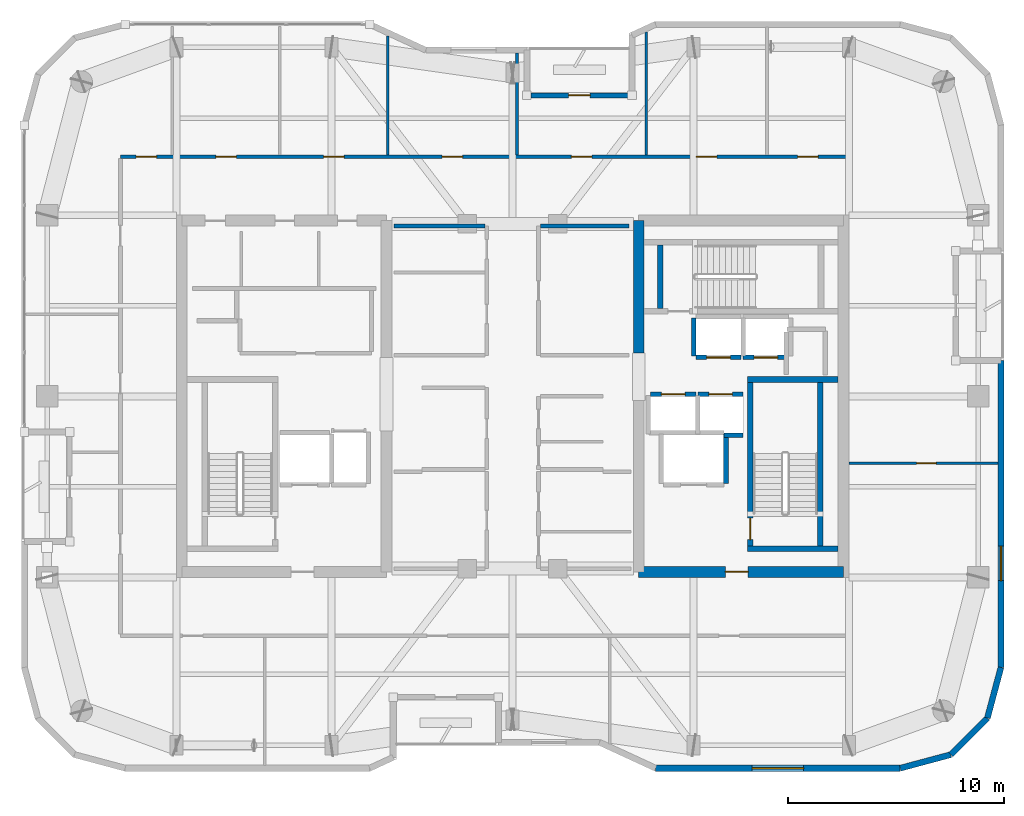
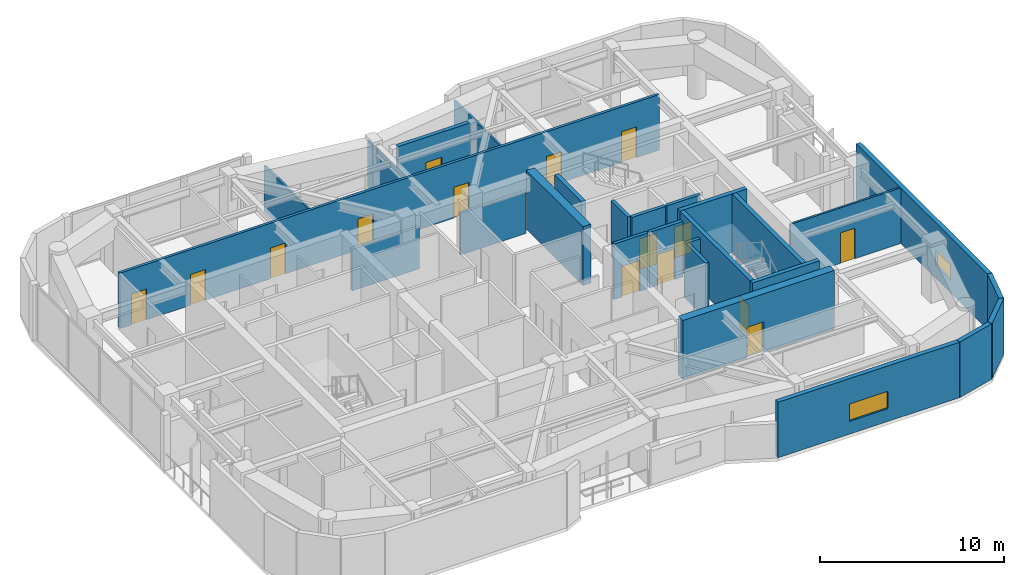
# One storey, part 12 of 15: 27 walls, 15 doors, 2 windows, 17 openings.
"""IFC4 building model written with IfcOpenShell, lengths in metres."""

from ifc_helpers import new_model, si_unit, direction, frame, frame_2d, origin, place, context, subcontext, project, spatial, rectangle, extrude, material, layer, layer_set, type_object, element, fill, save


model = new_model("IFC4")

# Units and contexts
model_context = context("Model", 3, precision=1e-05, world=origin(), true_north=direction((0.0, 1.0)))
body_context = subcontext(model_context, "Body", "Model", "MODEL_VIEW")
ifc_project = project(units=[si_unit("LENGTHUNIT", "METRE"), si_unit("AREAUNIT", "SQUARE_METRE"), si_unit("VOLUMEUNIT", "CUBIC_METRE"), si_unit("PLANEANGLEUNIT", "RADIAN"), si_unit("MASSUNIT", "GRAM", prefix="KILO")], contexts=[model_context])

# Site, building, storey
site_placement = place(None, origin())
site = spatial("IfcSite", under=ifc_project, at=site_placement, CompositionType="ELEMENT")
building_placement = place(site_placement, origin())
building = spatial("IfcBuilding", under=site, at=building_placement, Name="Kiyonajd Concourse Tower", CompositionType="ELEMENT")
storey_placement = place(building_placement, frame((0.0, 0.0, 262.800048828125)))
storey = spatial("IfcBuildingStorey", under=building, at=storey_placement, Name="L66", CompositionType="ELEMENT", Elevation=262.800048828125)

# Wall
ifc_material_1 = material(Name="Concrete C60/75", Category="concrete")
ifc_layer_1 = layer(ifc_material_1, 0.5)
ifc_layer_set_1 = layer_set([ifc_layer_1], Name="Concrete C60/75")
wall_type_1 = type_object("IfcWallType", Name="WL-CORE-500", PredefinedType="SHEAR", material=ifc_layer_set_1)
wall_1_placement = place(storey_placement, frame((53.85009765625, 38.0, 0.0), z_axis=(0.0, 0.0, 1.0), x_axis=(0.0, 1.0, 0.0)))
element("IfcWall", 1, at=wall_1_placement, inside=storey, type_object=wall_type_1, Name="L66 East Core Inner North Shear Wall", PredefinedType="SHEAR", context=body_context, shape_type="SweptSolid", body=[
    extrude(rectangle(XDim=6.14990234375, YDim=0.5, at=frame_2d((3.074951171875, 0.0))), origin(), (0.0, 0.0, 1.0), 3.89990234375),
])

# Wall, opening, door
wall_2_placement = place(storey_placement, frame((53.85009765625, 27.85009765625, 0.0), z_axis=(0.0, 0.0, 1.0), x_axis=(1.0, 0.0, 0.0)))
wall_2 = element("IfcWall", 2, at=wall_2_placement, inside=storey, type_object=wall_type_1, Name="L66 East Core South Shear Wall", PredefinedType="SHEAR", context=body_context, shape_type="SweptSolid", body=[
    extrude(rectangle(XDim=9.5, YDim=0.5, at=frame_2d((4.75, 0.0))), origin(), (0.0, 0.0, 1.0), 3.89990234375),
])
opening_1_placement = place(wall_2_placement, frame((4.02490234375, 0.0, 0.0)))
opening_1 = element("IfcOpeningElement", 3, at=opening_1_placement, cuts=wall_2, Name="Opening DF5", PredefinedType="OPENING", context=body_context, shape_type="SweptSolid", body=[
    extrude(rectangle(XDim=1.050048828125, YDim=2.0400390625, at=frame_2d((0.52490234375, 1.02001953125))), frame((0.0, 0.260009765625, 0.0), z_axis=(0.0, -1.0, 0.0), x_axis=(1.0, 0.0, 0.0)), (0.0, 0.0, 1.0), 0.52001953125),
])
ifc_material_2 = material(Name="Brushed Stainless Steel Cab Assembly", Category="steel")
door_type_1 = type_object("IfcDoorType", Name="DR-FD45-1050", OperationType="NOTDEFINED", PredefinedType="DOOR", material=ifc_material_2)
door_1_placement = place(opening_1_placement, origin())
door_1 = element("IfcDoor", 4, at=door_1_placement, inside=storey, type_object=door_type_1, Name="L66 Firefighting Lift Lobby E Smoke Door", OperationType="SINGLE_SWING_RIGHT", OverallHeight=2.0400390625, OverallWidth=1.050048828125, PredefinedType="DOOR", context=body_context, shape_type="SweptSolid", body=[
    extrude(rectangle(XDim=1.050048828125, YDim=2.0400390625, at=frame_2d((0.52490234375, 1.02001953125))), frame((0.0, 0.02490234375, 0.0), z_axis=(0.0, -1.0, 0.0), x_axis=(1.0, 0.0, 0.0)), (0.0, 0.0, 1.0), 0.050048828125),
])
fill(opening_1, door_1)

# Wall, opening, window
ifc_material_3 = material(Name="Precast concrete C50/60", Category="concrete")
ifc_layer_2 = layer(ifc_material_3, 0.280029296875)
ifc_layer_set_2 = layer_set([ifc_layer_2], Name="Precast concrete C50/60")
wall_type_2 = type_object("IfcWallType", Name="WL-EXT-280", PredefinedType="SOLIDWALL", material=ifc_layer_set_2)
wall_3_placement = place(storey_placement, frame((70.659912109375, 37.659912109375, 0.0), z_axis=(0.0, 0.0, 1.0), x_axis=(0.0, -1.0, 0.0)))
wall_3 = element("IfcWall", 5, at=wall_3_placement, inside=storey, type_object=wall_type_2, Name="L66 Exterior Concrete Frame Wall 24", PredefinedType="SOLIDWALL", context=body_context, shape_type="SweptSolid", body=[
    extrude(rectangle(XDim=14.241455078125, YDim=0.280029296875, at=frame_2d((7.12060546875, 0.0))), origin(), (0.0, 0.0, 1.0), 3.679931640625),
])
opening_2_placement = place(wall_3_placement, frame((8.611083984375, 0.0, 0.85009765625)))
opening_2 = element("IfcOpeningElement", 6, at=opening_2_placement, cuts=wall_3, Name="Opening WN6", PredefinedType="OPENING", context=body_context, shape_type="SweptSolid", body=[
    extrude(rectangle(XDim=1.60009765625, YDim=1.0, at=frame_2d((0.800048828125, 0.5))), frame((0.0, 0.14990234375, 0.0), z_axis=(0.0, -1.0, 0.0), x_axis=(1.0, 0.0, 0.0)), (0.0, 0.0, 1.0), 0.300048828125),
])
ifc_material_4 = material(Name="Double Low-E Insulated Glass", Category="glass")
window_type_1 = type_object("IfcWindowType", Name="WN-VIS-1600x1000", PartitioningType="SINGLE_PANEL", PredefinedType="WINDOW", material=ifc_material_4)
window_1_placement = place(opening_2_placement, origin())
window_1 = element("IfcWindow", 7, at=window_1_placement, inside=storey, type_object=window_type_1, Name="L66 Modular Facade Vision Window 24", OverallHeight=1.0, OverallWidth=1.60009765625, PartitioningType="SINGLE_PANEL", PredefinedType="WINDOW", context=body_context, shape_type="SweptSolid", body=[
    extrude(rectangle(XDim=1.60009765625, YDim=1.0, at=frame_2d((0.800048828125, 0.5))), frame((0.0, 0.030029296875, 0.0), z_axis=(0.0, -1.0, 0.0), x_axis=(1.0, 0.0, 0.0)), (0.0, 0.0, 1.0), 0.06005859375),
])
fill(opening_2, window_1)

# Walls
wall_4_placement = place(storey_placement, frame((70.659912109375, 23.41845703125, 0.0), z_axis=(0.0, 0.0, 1.0), x_axis=(-0.258751159445, -0.965944013639, 0.0)))
element("IfcWall", 8, at=wall_4_placement, inside=storey, type_object=wall_type_2, Name="L66 Exterior Concrete Frame Wall 25", PredefinedType="SOLIDWALL", context=body_context, shape_type="SweptSolid", body=[
    extrude(rectangle(XDim=2.4287109375, YDim=0.280029296875, at=frame_2d((1.21435546875, 0.0))), origin(), (0.0, 0.0, 1.0), 3.679931640625),
])
wall_5_placement = place(storey_placement, frame((70.031494140625, 21.072509765625, 0.0), z_axis=(0.0, 0.0, 1.0), x_axis=(-0.707106781187, -0.707106781187, 0.0)))
element("IfcWall", 9, at=wall_5_placement, inside=storey, type_object=wall_type_2, Name="L66 Exterior Concrete Frame Wall 26", PredefinedType="SOLIDWALL", context=body_context, shape_type="SweptSolid", body=[
    extrude(rectangle(XDim=2.409912109375, YDim=0.280029296875, at=frame_2d((1.205078125, 0.0))), origin(), (0.0, 0.0, 1.0), 3.679931640625),
])
wall_6_placement = place(storey_placement, frame((68.327392578125, 19.368408203125, 0.0), z_axis=(0.0, 0.0, 1.0), x_axis=(-0.965937282298, -0.25877628691, 0.0)))
element("IfcWall", 10, at=wall_6_placement, inside=storey, type_object=wall_type_2, Name="L66 Exterior Concrete Frame Wall 27", PredefinedType="SOLIDWALL", context=body_context, shape_type="SweptSolid", body=[
    extrude(rectangle(XDim=2.428466796875, YDim=0.280029296875, at=frame_2d((1.21435546875, 0.0))), origin(), (0.0, 0.0, 1.0), 3.679931640625),
])

# Wall, opening, window
wall_7_placement = place(storey_placement, frame((65.981689453125, 18.739990234375, 0.0), z_axis=(0.0, 0.0, 1.0), x_axis=(-1.0, 0.0, 0.0)))
wall_7 = element("IfcWall", 11, at=wall_7_placement, inside=storey, type_object=wall_type_2, Name="L66 Exterior Concrete Frame Wall 28", PredefinedType="SOLIDWALL", context=body_context, shape_type="SweptSolid", body=[
    extrude(rectangle(XDim=11.35107421875, YDim=0.280029296875, at=frame_2d((5.675537109375, 0.0))), origin(), (0.0, 0.0, 1.0), 3.679931640625),
])
opening_3_placement = place(wall_7_placement, frame((4.47509765625, 0.0, 0.85009765625)))
opening_3 = element("IfcOpeningElement", 12, at=opening_3_placement, cuts=wall_7, Name="Opening WN4", PredefinedType="OPENING", context=body_context, shape_type="SweptSolid", body=[
    extrude(rectangle(XDim=2.39990234375, YDim=1.14990234375, at=frame_2d((1.199951171875, 0.574951171875))), frame((0.0, 0.14990234375, 0.0), z_axis=(0.0, -1.0, 0.0), x_axis=(1.0, 0.0, 0.0)), (0.0, 0.0, 1.0), 0.300048828125),
])
window_type_2 = type_object("IfcWindowType", Name="WN-VIS-2400x1150", PartitioningType="SINGLE_PANEL", PredefinedType="WINDOW", material=ifc_material_4)
window_2_placement = place(opening_3_placement, origin())
window_2 = element("IfcWindow", 13, at=window_2_placement, inside=storey, type_object=window_type_2, Name="L66 Modular Facade Vision Window 28", OverallHeight=1.14990234375, OverallWidth=2.39990234375, PartitioningType="SINGLE_PANEL", PredefinedType="WINDOW", context=body_context, shape_type="SweptSolid", body=[
    extrude(rectangle(XDim=2.39990234375, YDim=1.14990234375, at=frame_2d((1.199951171875, 0.574951171875))), frame((0.0, 0.030029296875, 0.0), z_axis=(0.0, -1.0, 0.0), x_axis=(1.0, 0.0, 0.0)), (0.0, 0.0, 1.0), 0.06005859375),
])
fill(opening_3, window_2)

# Wall, opening, door
ifc_layer_3 = layer(ifc_material_3, 0.239990234375)
ifc_layer_set_3 = layer_set([ifc_layer_3], Name="Precast concrete C50/60")
wall_type_3 = type_object("IfcWallType", Name="WL-LOG-240", PredefinedType="SOLIDWALL", material=ifc_layer_set_3)
wall_8_placement = place(storey_placement, frame((48.85498046875, 49.9599609375, 0.0), z_axis=(0.0, 0.0, 1.0), x_axis=(1.0, 0.0, 0.0)))
wall_8 = element("IfcWall", 14, at=wall_8_placement, inside=storey, type_object=wall_type_3, Name="L66 Recessed Loggia Thermal Wall LOG-N", PredefinedType="SOLIDWALL", context=body_context, shape_type="SweptSolid", body=[
    extrude(rectangle(XDim=4.489990234375, YDim=0.239990234375, at=frame_2d((2.2451171875, 0.0))), origin(), (0.0, 0.0, 1.0), 3.679931640625),
])
opening_4_placement = place(wall_8_placement, frame((1.7451171875, 0.0, 0.0)))
opening_4 = element("IfcOpeningElement", 15, at=opening_4_placement, cuts=wall_8, Name="Opening DL1", PredefinedType="OPENING", context=body_context, shape_type="SweptSolid", body=[
    extrude(rectangle(XDim=1.0, YDim=2.02001953125, at=frame_2d((0.5, 1.010009765625))), frame((0.0, 0.1298828125, 0.0), z_axis=(0.0, -1.0, 0.0), x_axis=(1.0, 0.0, 0.0)), (0.0, 0.0, 1.0), 0.260009765625),
])
ifc_material_5 = material(Name="Thermally Broken Anodised Aluminium", Category="aluminium")
door_type_2 = type_object("IfcDoorType", Name="DR-LOG-1000", OperationType="NOTDEFINED", PredefinedType="DOOR", material=ifc_material_5)
door_2_placement = place(opening_4_placement, origin())
door_2 = element("IfcDoor", 16, at=door_2_placement, inside=storey, type_object=door_type_2, Name="L66 Engawa Loggia Access Door LOG-N", OperationType="SINGLE_SWING_RIGHT", OverallHeight=2.02001953125, OverallWidth=1.0, PredefinedType="DOOR", context=body_context, shape_type="SweptSolid", body=[
    extrude(rectangle(XDim=1.0, YDim=2.02001953125, at=frame_2d((0.5, 1.010009765625))), frame((0.0, 0.02490234375, 0.0), z_axis=(0.0, -1.0, 0.0), x_axis=(1.0, 0.0, 0.0)), (0.0, 0.0, 1.0), 0.050048828125),
])
fill(opening_4, door_2)

# Walls
ifc_material_6 = material(Name="Gypsum Board on Cold-Formed Steel Stud", Category="steel")
ifc_layer_4 = layer(ifc_material_6, 0.125)
ifc_layer_set_4 = layer_set([ifc_layer_4], Name="Gypsum Board on Cold-Formed Steel Stud")
wall_type_4 = type_object("IfcWallType", Name="WL-PART-125", PredefinedType="PARTITIONING", material=ifc_layer_set_4)
wall_9_placement = place(storey_placement, frame((42.199951171875, 47.197021484375, 0.0), z_axis=(0.0, 0.0, 1.0), x_axis=(0.0, 1.0, 0.0)))
element("IfcWall", 17, at=wall_9_placement, inside=storey, type_object=wall_type_4, Name="L66 Interior Partition Wall", PredefinedType="PARTITIONING", context=body_context, shape_type="SweptSolid", body=[
    extrude(rectangle(XDim=5.528076171875, YDim=0.125, at=frame_2d((2.76416015625, 0.0))), origin(), (0.0, 0.0, 1.0), 3.04296875),
])
wall_10_placement = place(storey_placement, frame((48.199951171875, 47.197021484375, 0.0), z_axis=(0.0, 0.0, 1.0), x_axis=(0.0, 1.0, 0.0)))
element("IfcWall", 18, at=wall_10_placement, inside=storey, type_object=wall_type_4, Name="L66 Interior Partition Wall", PredefinedType="PARTITIONING", context=body_context, shape_type="SweptSolid", body=[
    extrude(rectangle(XDim=4.72802734375, YDim=0.125, at=frame_2d((2.364013671875, 0.0))), origin(), (0.0, 0.0, 1.0), 3.053955078125),
])
wall_11_placement = place(storey_placement, frame((54.199951171875, 47.197021484375, 0.0), z_axis=(0.0, 0.0, 1.0), x_axis=(0.0, 1.0, 0.0)))
element("IfcWall", 19, at=wall_11_placement, inside=storey, type_object=wall_type_4, Name="L66 Interior Partition Wall", PredefinedType="PARTITIONING", context=body_context, shape_type="SweptSolid", body=[
    extrude(rectangle(XDim=5.712890625, YDim=0.125, at=frame_2d((2.8564453125, 0.0))), origin(), (0.0, 0.0, 1.0), 3.04296875),
])

# Wall, opening, door
wall_12_placement = place(storey_placement, frame((63.60009765625, 32.889892578125, 0.0), z_axis=(0.0, 0.0, 1.0), x_axis=(1.0, 0.0, 0.0)))
wall_12 = element("IfcWall", 20, at=wall_12_placement, inside=storey, type_object=wall_type_4, Name="L66 Interior Partition Wall", PredefinedType="PARTITIONING", context=body_context, shape_type="SweptSolid", body=[
    extrude(rectangle(XDim=6.9248046875, YDim=0.125, at=frame_2d((3.46240234375, 0.0))), origin(), (0.0, 0.0, 1.0), 3.679931640625),
])
opening_5_placement = place(wall_12_placement, frame((3.14990234375, 0.0, 0.0)))
opening_5 = element("IfcOpeningElement", 21, at=opening_5_placement, cuts=wall_12, Name="Opening DI2", PredefinedType="OPENING", context=body_context, shape_type="SweptSolid", body=[
    extrude(rectangle(XDim=0.89990234375, YDim=2.02001953125, at=frame_2d((0.449951171875, 1.010009765625))), frame((0.0, 0.072509765625, 0.0), z_axis=(0.0, -1.0, 0.0), x_axis=(1.0, 0.0, 0.0)), (0.0, 0.0, 1.0), 0.14501953125),
])
ifc_material_7 = material(Name="Natural Oak Acoustic Timber Veneer", Category="wood")
door_type_3 = type_object("IfcDoorType", Name="DR-INT-900", OperationType="NOTDEFINED", PredefinedType="DOOR", material=ifc_material_7)
door_3_placement = place(opening_5_placement, origin())
door_3 = element("IfcDoor", 22, at=door_3_placement, inside=storey, type_object=door_type_3, Name="L66 Interior Door", OperationType="SINGLE_SWING_RIGHT", OverallHeight=2.02001953125, OverallWidth=0.89990234375, PredefinedType="DOOR", context=body_context, shape_type="SweptSolid", body=[
    extrude(rectangle(XDim=0.89990234375, YDim=2.02001953125, at=frame_2d((0.449951171875, 1.010009765625))), frame((0.0, 0.02490234375, 0.0), z_axis=(0.0, -1.0, 0.0), x_axis=(1.0, 0.0, 0.0)), (0.0, 0.0, 1.0), 0.050048828125),
])
fill(opening_5, door_3)

# Wall
ifc_layer_5 = layer(ifc_material_6, 0.2099609375)
ifc_layer_set_5 = layer_set([ifc_layer_5], Name="Gypsum Board on Cold-Formed Steel Stud")
wall_type_5 = type_object("IfcWallType", Name="WL-SHAFT-210", PredefinedType="PARTITIONING", material=ifc_layer_set_5)
wall_13_placement = place(storey_placement, frame((57.89990234375, 31.9599609375, 0.0), z_axis=(0.0, 0.0, 1.0), x_axis=(0.0, 1.0, 0.0)))
element("IfcWall", 23, at=wall_13_placement, inside=storey, type_object=wall_type_5, Name="L66 Shaft Enclosure Wall", PredefinedType="PARTITIONING", context=body_context, shape_type="SweptSolid", body=[
    extrude(rectangle(XDim=2.280029296875, YDim=0.2099609375, at=frame_2d((1.14013671875, 0.0))), origin(), (0.0, 0.0, 1.0), 3.679931640625),
])

# Wall, opening, door
wall_14_placement = place(storey_placement, frame((54.39990234375, 36.10009765625, 0.0), z_axis=(0.0, 0.0, 1.0), x_axis=(1.0, 0.0, 0.0)))
wall_14 = element("IfcWall", 24, at=wall_14_placement, inside=storey, type_object=wall_type_5, Name="L66 Shaft Enclosure Wall", PredefinedType="PARTITIONING", context=body_context, shape_type="SweptSolid", body=[
    extrude(rectangle(XDim=2.10009765625, YDim=0.2099609375, at=frame_2d((1.050048828125, 0.0))), origin(), (0.0, 0.0, 1.0), 3.679931640625),
])
opening_6_placement = place(wall_14_placement, frame((0.5, 0.0, 0.0)))
opening_6 = element("IfcOpeningElement", 25, at=opening_6_placement, cuts=wall_14, Name="Opening LD1", PredefinedType="OPENING", context=body_context, shape_type="SweptSolid", body=[
    extrude(rectangle(XDim=1.10009765625, YDim=2.0400390625, at=frame_2d((0.550048828125, 1.02001953125))), frame((0.0, 0.114990234375, 0.0), z_axis=(0.0, -1.0, 0.0), x_axis=(1.0, 0.0, 0.0)), (0.0, 0.0, 1.0), 0.22998046875),
])
door_type_4 = type_object("IfcDoorType", Name="DR-LD-1100", OperationType="DOUBLE_DOOR_SLIDING", PredefinedType="DOOR", material=ifc_material_2)
door_4_placement = place(opening_6_placement, origin())
door_4 = element("IfcDoor", 26, at=door_4_placement, inside=storey, type_object=door_type_4, Name="L66 Lift PL-H1 Sliding Landing Door", OperationType="DOUBLE_DOOR_SLIDING", OverallHeight=2.0400390625, OverallWidth=1.10009765625, PredefinedType="DOOR", context=body_context, shape_type="SweptSolid", body=[
    extrude(rectangle(XDim=1.10009765625, YDim=2.0400390625, at=frame_2d((0.550048828125, 1.02001953125))), frame((0.0, 0.02490234375, 0.0), z_axis=(0.0, -1.0, 0.0), x_axis=(1.0, 0.0, 0.0)), (0.0, 0.0, 1.0), 0.050048828125),
])
fill(opening_6, door_4)

wall_15_placement = place(storey_placement, frame((56.60009765625, 36.10009765625, 0.0), z_axis=(0.0, 0.0, 1.0), x_axis=(1.0, 0.0, 0.0)))
wall_15 = element("IfcWall", 27, at=wall_15_placement, inside=storey, type_object=wall_type_5, Name="L66 Shaft Enclosure Wall", PredefinedType="PARTITIONING", context=body_context, shape_type="SweptSolid", body=[
    extrude(rectangle(XDim=2.099853515625, YDim=0.2099609375, at=frame_2d((1.0498046875, 0.0))), origin(), (0.0, 0.0, 1.0), 3.679931640625),
])
opening_7_placement = place(wall_15_placement, frame((0.5, 0.0, 0.0)))
opening_7 = element("IfcOpeningElement", 28, at=opening_7_placement, cuts=wall_15, Name="Opening LD1", PredefinedType="OPENING", context=body_context, shape_type="SweptSolid", body=[
    extrude(rectangle(XDim=1.10009765625, YDim=2.0400390625, at=frame_2d((0.550048828125, 1.02001953125))), frame((0.0, 0.114990234375, 0.0), z_axis=(0.0, -1.0, 0.0), x_axis=(1.0, 0.0, 0.0)), (0.0, 0.0, 1.0), 0.22998046875),
])
door_5_placement = place(opening_7_placement, origin())
door_5 = element("IfcDoor", 29, at=door_5_placement, inside=storey, type_object=door_type_4, Name="L66 Lift PL-H2 Sliding Landing Door", OperationType="DOUBLE_DOOR_SLIDING", OverallHeight=2.0400390625, OverallWidth=1.10009765625, PredefinedType="DOOR", context=body_context, shape_type="SweptSolid", body=[
    extrude(rectangle(XDim=1.10009765625, YDim=2.0400390625, at=frame_2d((0.550048828125, 1.02001953125))), frame((0.0, 0.02490234375, 0.0), z_axis=(0.0, -1.0, 0.0), x_axis=(1.0, 0.0, 0.0)), (0.0, 0.0, 1.0), 0.050048828125),
])
fill(opening_7, door_5)

# Wall
wall_16_placement = place(storey_placement, frame((57.800048828125, 34.199951171875, 0.0), z_axis=(0.0, 0.0, 1.0), x_axis=(1.0, 0.0, 0.0)))
element("IfcWall", 30, at=wall_16_placement, inside=storey, type_object=wall_type_5, Name="L66 Shaft Enclosure Wall", PredefinedType="PARTITIONING", context=body_context, shape_type="SweptSolid", body=[
    extrude(rectangle(XDim=0.89990234375, YDim=0.2099609375, at=frame_2d((0.449951171875, 0.0))), origin(), (0.0, 0.0, 1.0), 3.679931640625),
])

# Wall, opening, door
wall_17_placement = place(storey_placement, frame((56.5, 37.800048828125, 0.0), z_axis=(0.0, 0.0, 1.0), x_axis=(1.0, 0.0, 0.0)))
wall_17 = element("IfcWall", 31, at=wall_17_placement, inside=storey, type_object=wall_type_5, Name="L66 Shaft Enclosure Wall", PredefinedType="PARTITIONING", context=body_context, shape_type="SweptSolid", body=[
    extrude(rectangle(XDim=2.10009765625, YDim=0.2099609375, at=frame_2d((1.050048828125, 0.0))), origin(), (0.0, 0.0, 1.0), 3.679931640625),
])
opening_8_placement = place(wall_17_placement, frame((0.5, 0.0, 0.0)))
opening_8 = element("IfcOpeningElement", 32, at=opening_8_placement, cuts=wall_17, Name="Opening LD1", PredefinedType="OPENING", context=body_context, shape_type="SweptSolid", body=[
    extrude(rectangle(XDim=1.10009765625, YDim=2.0400390625, at=frame_2d((0.550048828125, 1.02001953125))), frame((0.0, 0.114990234375, 0.0), z_axis=(0.0, -1.0, 0.0), x_axis=(1.0, 0.0, 0.0)), (0.0, 0.0, 1.0), 0.22998046875),
])
door_6_placement = place(opening_8_placement, origin())
door_6 = element("IfcDoor", 33, at=door_6_placement, inside=storey, type_object=door_type_4, Name="L66 Lift PL-H3 Sliding Landing Door", OperationType="DOUBLE_DOOR_SLIDING", OverallHeight=2.0400390625, OverallWidth=1.10009765625, PredefinedType="DOOR", context=body_context, shape_type="SweptSolid", body=[
    extrude(rectangle(XDim=1.10009765625, YDim=2.0400390625, at=frame_2d((0.550048828125, 1.02001953125))), frame((0.0, 0.02490234375, 0.0), z_axis=(0.0, -1.0, 0.0), x_axis=(1.0, 0.0, 0.0)), (0.0, 0.0, 1.0), 0.050048828125),
])
fill(opening_8, door_6)

# Wall
wall_18_placement = place(storey_placement, frame((56.39990234375, 37.860107421875, 0.0), z_axis=(0.0, 0.0, 1.0), x_axis=(0.0, 1.0, 0.0)))
element("IfcWall", 34, at=wall_18_placement, inside=storey, type_object=wall_type_5, Name="L66 Shaft Enclosure Wall", PredefinedType="PARTITIONING", context=body_context, shape_type="SweptSolid", body=[
    extrude(rectangle(XDim=1.77978515625, YDim=0.2099609375, at=frame_2d((0.889892578125, 0.0))), origin(), (0.0, 0.0, 1.0), 3.679931640625),
])

# Wall, opening, door
wall_19_placement = place(storey_placement, frame((58.699951171875, 37.800048828125, 0.0), z_axis=(0.0, 0.0, 1.0), x_axis=(1.0, 0.0, 0.0)))
wall_19 = element("IfcWall", 35, at=wall_19_placement, inside=storey, type_object=wall_type_5, Name="L66 Shaft Enclosure Wall", PredefinedType="PARTITIONING", context=body_context, shape_type="SweptSolid", body=[
    extrude(rectangle(XDim=2.10009765625, YDim=0.2099609375, at=frame_2d((1.050048828125, 0.0))), origin(), (0.0, 0.0, 1.0), 3.679931640625),
])
opening_9_placement = place(wall_19_placement, frame((0.5, 0.0, 0.0)))
opening_9 = element("IfcOpeningElement", 36, at=opening_9_placement, cuts=wall_19, Name="Opening LD1", PredefinedType="OPENING", context=body_context, shape_type="SweptSolid", body=[
    extrude(rectangle(XDim=1.10009765625, YDim=2.0400390625, at=frame_2d((0.550048828125, 1.02001953125))), frame((0.0, 0.114990234375, 0.0), z_axis=(0.0, -1.0, 0.0), x_axis=(1.0, 0.0, 0.0)), (0.0, 0.0, 1.0), 0.22998046875),
])
door_7_placement = place(opening_9_placement, origin())
door_7 = element("IfcDoor", 37, at=door_7_placement, inside=storey, type_object=door_type_4, Name="L66 Lift PL-H4 Sliding Landing Door", OperationType="DOUBLE_DOOR_SLIDING", OverallHeight=2.0400390625, OverallWidth=1.10009765625, PredefinedType="DOOR", context=body_context, shape_type="SweptSolid", body=[
    extrude(rectangle(XDim=1.10009765625, YDim=2.0400390625, at=frame_2d((0.550048828125, 1.02001953125))), frame((0.0, 0.02490234375, 0.0), z_axis=(0.0, -1.0, 0.0), x_axis=(1.0, 0.0, 0.0)), (0.0, 0.0, 1.0), 0.050048828125),
])
fill(opening_9, door_7)

# Walls
ifc_layer_6 = layer(ifc_material_6, 0.169921875)
ifc_layer_set_6 = layer_set([ifc_layer_6], Name="Gypsum Board on Cold-Formed Steel Stud")
wall_type_6 = type_object("IfcWallType", Name="WL-SMK-170", PredefinedType="PARTITIONING", material=ifc_layer_set_6)
wall_20_placement = place(storey_placement, frame((42.5, 43.89990234375, 0.0), z_axis=(0.0, 0.0, 1.0), x_axis=(1.0, 0.0, 0.0)))
element("IfcWall", 38, at=wall_20_placement, inside=storey, type_object=wall_type_6, Name="L66 Interior Partition Wall", PredefinedType="PARTITIONING", context=body_context, shape_type="SweptSolid", body=[
    extrude(rectangle(XDim=4.212890625, YDim=0.169921875, at=frame_2d((2.1064453125, 0.0))), origin(), (0.0, 0.0, 1.0), 2.764892578125),
])
wall_21_placement = place(storey_placement, frame((49.287109375, 43.89990234375, 0.0), z_axis=(0.0, 0.0, 1.0), x_axis=(1.0, 0.0, 0.0)))
element("IfcWall", 39, at=wall_21_placement, inside=storey, type_object=wall_type_6, Name="L66 Interior Partition Wall", PredefinedType="PARTITIONING", context=body_context, shape_type="SweptSolid", body=[
    extrude(rectangle(XDim=4.11279296875, YDim=0.169921875, at=frame_2d((2.056396484375, 0.0))), origin(), (0.0, 0.0, 1.0), 2.764892578125),
])

# Wall, openings, doors
wall_22_placement = place(storey_placement, frame((29.800048828125, 47.110107421875, 0.0), z_axis=(0.0, 0.0, 1.0), x_axis=(1.0, 0.0, 0.0)))
wall_22 = element("IfcWall", 40, at=wall_22_placement, inside=storey, type_object=wall_type_6, Name="L66 Interior Partition Wall", PredefinedType="PARTITIONING", context=body_context, shape_type="SweptSolid", body=[
    extrude(rectangle(XDim=33.800048828125, YDim=0.169921875, at=frame_2d((16.89990234375, 0.0))), origin(), (0.0, 0.0, 1.0), 3.679931640625),
])
opening_10_placement = place(wall_22_placement, frame((0.72509765625, 0.0, 0.0)))
opening_10 = element("IfcOpeningElement", 41, at=opening_10_placement, cuts=wall_22, Name="Opening DI1", PredefinedType="OPENING", context=body_context, shape_type="SweptSolid", body=[
    extrude(rectangle(XDim=0.949951171875, YDim=2.0400390625, at=frame_2d((0.47509765625, 1.02001953125))), frame((0.0, 0.094970703125, 0.0), z_axis=(0.0, -1.0, 0.0), x_axis=(1.0, 0.0, 0.0)), (0.0, 0.0, 1.0), 0.18994140625),
])
opening_11_placement = place(wall_22_placement, frame((4.425048828125, 0.0, 0.0)))
opening_11 = element("IfcOpeningElement", 42, at=opening_11_placement, cuts=wall_22, Name="Opening DI1", PredefinedType="OPENING", context=body_context, shape_type="SweptSolid", body=[
    extrude(rectangle(XDim=0.949951171875, YDim=2.0400390625, at=frame_2d((0.47509765625, 1.02001953125))), frame((0.0, 0.094970703125, 0.0), z_axis=(0.0, -1.0, 0.0), x_axis=(1.0, 0.0, 0.0)), (0.0, 0.0, 1.0), 0.18994140625),
])
opening_12_placement = place(wall_22_placement, frame((9.425048828125, 0.0, 0.0)))
opening_12 = element("IfcOpeningElement", 43, at=opening_12_placement, cuts=wall_22, Name="Opening DI1", PredefinedType="OPENING", context=body_context, shape_type="SweptSolid", body=[
    extrude(rectangle(XDim=0.949951171875, YDim=2.0400390625, at=frame_2d((0.47509765625, 1.02001953125))), frame((0.0, 0.094970703125, 0.0), z_axis=(0.0, -1.0, 0.0), x_axis=(1.0, 0.0, 0.0)), (0.0, 0.0, 1.0), 0.18994140625),
])
opening_13_placement = place(wall_22_placement, frame((14.925048828125, 0.0, 0.0)))
opening_13 = element("IfcOpeningElement", 44, at=opening_13_placement, cuts=wall_22, Name="Opening DI1", PredefinedType="OPENING", context=body_context, shape_type="SweptSolid", body=[
    extrude(rectangle(XDim=0.949951171875, YDim=2.0400390625, at=frame_2d((0.47509765625, 1.02001953125))), frame((0.0, 0.094970703125, 0.0), z_axis=(0.0, -1.0, 0.0), x_axis=(1.0, 0.0, 0.0)), (0.0, 0.0, 1.0), 0.18994140625),
])
opening_14_placement = place(wall_22_placement, frame((20.925048828125, 0.0, 0.0)))
opening_14 = element("IfcOpeningElement", 45, at=opening_14_placement, cuts=wall_22, Name="Opening DI1", PredefinedType="OPENING", context=body_context, shape_type="SweptSolid", body=[
    extrude(rectangle(XDim=0.949951171875, YDim=2.0400390625, at=frame_2d((0.47509765625, 1.02001953125))), frame((0.0, 0.094970703125, 0.0), z_axis=(0.0, -1.0, 0.0), x_axis=(1.0, 0.0, 0.0)), (0.0, 0.0, 1.0), 0.18994140625),
])
opening_15_placement = place(wall_22_placement, frame((26.72509765625, 0.0, 0.0)))
opening_15 = element("IfcOpeningElement", 46, at=opening_15_placement, cuts=wall_22, Name="Opening DI1", PredefinedType="OPENING", context=body_context, shape_type="SweptSolid", body=[
    extrude(rectangle(XDim=0.949951171875, YDim=2.0400390625, at=frame_2d((0.47509765625, 1.02001953125))), frame((0.0, 0.094970703125, 0.0), z_axis=(0.0, -1.0, 0.0), x_axis=(1.0, 0.0, 0.0)), (0.0, 0.0, 1.0), 0.18994140625),
])
opening_16_placement = place(wall_22_placement, frame((31.425048828125, 0.0, 0.0)))
opening_16 = element("IfcOpeningElement", 47, at=opening_16_placement, cuts=wall_22, Name="Opening DI1", PredefinedType="OPENING", context=body_context, shape_type="SweptSolid", body=[
    extrude(rectangle(XDim=0.949951171875, YDim=2.0400390625, at=frame_2d((0.47509765625, 1.02001953125))), frame((0.0, 0.094970703125, 0.0), z_axis=(0.0, -1.0, 0.0), x_axis=(1.0, 0.0, 0.0)), (0.0, 0.0, 1.0), 0.18994140625),
])
door_type_5 = type_object("IfcDoorType", Name="DR-INT-950", OperationType="NOTDEFINED", PredefinedType="DOOR", material=ifc_material_7)
door_8_placement = place(opening_10_placement, origin())
door_8 = element("IfcDoor", 48, at=door_8_placement, inside=storey, type_object=door_type_5, Name="L66 Interior Door", OperationType="SINGLE_SWING_RIGHT", OverallHeight=2.0400390625, OverallWidth=0.949951171875, PredefinedType="DOOR", context=body_context, shape_type="SweptSolid", body=[
    extrude(rectangle(XDim=0.949951171875, YDim=2.0400390625, at=frame_2d((0.47509765625, 1.02001953125))), frame((0.0, 0.02490234375, 0.0), z_axis=(0.0, -1.0, 0.0), x_axis=(1.0, 0.0, 0.0)), (0.0, 0.0, 1.0), 0.050048828125),
])
fill(opening_10, door_8)
door_9_placement = place(opening_11_placement, origin())
door_9 = element("IfcDoor", 49, at=door_9_placement, inside=storey, type_object=door_type_5, Name="L66 Interior Door", OperationType="SINGLE_SWING_LEFT", OverallHeight=2.0400390625, OverallWidth=0.949951171875, PredefinedType="DOOR", context=body_context, shape_type="SweptSolid", body=[
    extrude(rectangle(XDim=0.949951171875, YDim=2.0400390625, at=frame_2d((0.47509765625, 1.02001953125))), frame((0.0, 0.02490234375, 0.0), z_axis=(0.0, -1.0, 0.0), x_axis=(1.0, 0.0, 0.0)), (0.0, 0.0, 1.0), 0.050048828125),
])
fill(opening_11, door_9)
door_10_placement = place(opening_12_placement, origin())
door_10 = element("IfcDoor", 50, at=door_10_placement, inside=storey, type_object=door_type_5, Name="L66 Interior Door", OperationType="SINGLE_SWING_RIGHT", OverallHeight=2.0400390625, OverallWidth=0.949951171875, PredefinedType="DOOR", context=body_context, shape_type="SweptSolid", body=[
    extrude(rectangle(XDim=0.949951171875, YDim=2.0400390625, at=frame_2d((0.47509765625, 1.02001953125))), frame((0.0, 0.02490234375, 0.0), z_axis=(0.0, -1.0, 0.0), x_axis=(1.0, 0.0, 0.0)), (0.0, 0.0, 1.0), 0.050048828125),
])
fill(opening_12, door_10)
door_11_placement = place(opening_13_placement, origin())
door_11 = element("IfcDoor", 51, at=door_11_placement, inside=storey, type_object=door_type_5, Name="L66 Interior Door", OperationType="SINGLE_SWING_LEFT", OverallHeight=2.0400390625, OverallWidth=0.949951171875, PredefinedType="DOOR", context=body_context, shape_type="SweptSolid", body=[
    extrude(rectangle(XDim=0.949951171875, YDim=2.0400390625, at=frame_2d((0.47509765625, 1.02001953125))), frame((0.0, 0.02490234375, 0.0), z_axis=(0.0, -1.0, 0.0), x_axis=(1.0, 0.0, 0.0)), (0.0, 0.0, 1.0), 0.050048828125),
])
fill(opening_13, door_11)
door_12_placement = place(opening_14_placement, origin())
door_12 = element("IfcDoor", 52, at=door_12_placement, inside=storey, type_object=door_type_5, Name="L66 Interior Door", OperationType="SINGLE_SWING_RIGHT", OverallHeight=2.0400390625, OverallWidth=0.949951171875, PredefinedType="DOOR", context=body_context, shape_type="SweptSolid", body=[
    extrude(rectangle(XDim=0.949951171875, YDim=2.0400390625, at=frame_2d((0.47509765625, 1.02001953125))), frame((0.0, 0.02490234375, 0.0), z_axis=(0.0, -1.0, 0.0), x_axis=(1.0, 0.0, 0.0)), (0.0, 0.0, 1.0), 0.050048828125),
])
fill(opening_14, door_12)
door_13_placement = place(opening_15_placement, origin())
door_13 = element("IfcDoor", 53, at=door_13_placement, inside=storey, type_object=door_type_5, Name="L66 Interior Door", OperationType="SINGLE_SWING_LEFT", OverallHeight=2.0400390625, OverallWidth=0.949951171875, PredefinedType="DOOR", context=body_context, shape_type="SweptSolid", body=[
    extrude(rectangle(XDim=0.949951171875, YDim=2.0400390625, at=frame_2d((0.47509765625, 1.02001953125))), frame((0.0, 0.02490234375, 0.0), z_axis=(0.0, -1.0, 0.0), x_axis=(1.0, 0.0, 0.0)), (0.0, 0.0, 1.0), 0.050048828125),
])
fill(opening_15, door_13)
door_14_placement = place(opening_16_placement, origin())
door_14 = element("IfcDoor", 54, at=door_14_placement, inside=storey, type_object=door_type_5, Name="L66 Interior Door", OperationType="SINGLE_SWING_RIGHT", OverallHeight=2.0400390625, OverallWidth=0.949951171875, PredefinedType="DOOR", context=body_context, shape_type="SweptSolid", body=[
    extrude(rectangle(XDim=0.949951171875, YDim=2.0400390625, at=frame_2d((0.47509765625, 1.02001953125))), frame((0.0, 0.02490234375, 0.0), z_axis=(0.0, -1.0, 0.0), x_axis=(1.0, 0.0, 0.0)), (0.0, 0.0, 1.0), 0.050048828125),
])
fill(opening_16, door_14)

# Walls
ifc_material_8 = material(Name="Concrete C50/60", Category="concrete")
ifc_layer_7 = layer(ifc_material_8, 0.260009765625)
ifc_layer_set_7 = layer_set([ifc_layer_7], Name="Concrete C50/60")
wall_type_7 = type_object("IfcWallType", Name="WL-STAIR-260", PredefinedType="SHEAR", material=ifc_layer_set_7)
for number, where, z_axis, x_axis, name in (
    (55, (58.889892578125, 28.919921875, 0.0), (0.0, 0.0, 1.0), (1.0, 0.0, 0.0), "L66 Stair ST2 Structural South Wall"),
    (56, (58.889892578125, 36.780029296875, 0.0), (0.0, 0.0, 1.0), (1.0, 0.0, 0.0), "L66 Stair ST2 Structural North Wall"),
):
    element("IfcWall", number, at=place(storey_placement, frame(where, z_axis=z_axis, x_axis=x_axis)), inside=storey, type_object=wall_type_7, Name=name, PredefinedType="SHEAR", context=body_context, shape_type="SweptSolid", body=[
        extrude(rectangle(XDim=4.210205078125, YDim=0.260009765625, at=frame_2d((2.10498046875, 0.0))), origin(), (0.0, 0.0, 1.0), 3.89990234375),
    ])

# Wall, opening, door
wall_23_placement = place(storey_placement, frame((59.02001953125, 29.050048828125, 0.0), z_axis=(0.0, 0.0, 1.0), x_axis=(0.0, 1.0, 0.0)))
wall_23 = element("IfcWall", 57, at=wall_23_placement, inside=storey, type_object=wall_type_7, Name="L66 Stair ST2 Structural West Wall", PredefinedType="SHEAR", context=body_context, shape_type="SweptSolid", body=[
    extrude(rectangle(XDim=7.599853515625, YDim=0.260009765625, at=frame_2d((3.7998046875, 0.0))), origin(), (0.0, 0.0, 1.0), 3.89990234375),
])
opening_17_placement = place(wall_23_placement, frame((0.300048828125, 0.0, 0.0)))
opening_17 = element("IfcOpeningElement", 58, at=opening_17_placement, cuts=wall_23, Name="Opening DF1", PredefinedType="OPENING", context=body_context, shape_type="SweptSolid", body=[
    extrude(rectangle(XDim=1.0, YDim=2.0400390625, at=frame_2d((0.5, 1.02001953125))), frame((0.0, 0.139892578125, 0.0), z_axis=(0.0, -1.0, 0.0), x_axis=(1.0, 0.0, 0.0)), (0.0, 0.0, 1.0), 0.280029296875),
])
door_type_6 = type_object("IfcDoorType", Name="DR-FD90-1000", OperationType="NOTDEFINED", PredefinedType="DOOR", material=ifc_material_2)
door_15_placement = place(opening_17_placement, origin())
door_15 = element("IfcDoor", 59, at=door_15_placement, inside=storey, type_object=door_type_6, Name="L66 Stair ST2 FSAE Door", OperationType="SINGLE_SWING_RIGHT", OverallHeight=2.0400390625, OverallWidth=1.0, PredefinedType="DOOR", context=body_context, shape_type="SweptSolid", body=[
    extrude(rectangle(XDim=1.0, YDim=2.0400390625, at=frame_2d((0.5, 1.02001953125))), frame((0.0, 0.02490234375, 0.0), z_axis=(0.0, -1.0, 0.0), x_axis=(1.0, 0.0, 0.0)), (0.0, 0.0, 1.0), 0.050048828125),
])
fill(opening_17, door_15)

# Walls
wall_24_placement = place(storey_placement, frame((62.280029296875, 29.050048828125, 0.0), z_axis=(0.0, 0.0, 1.0), x_axis=(0.0, 1.0, 0.0)))
element("IfcWall", 60, at=wall_24_placement, inside=storey, type_object=wall_type_7, Name="L66 Stair ST2 Structural East Wall", PredefinedType="SHEAR", context=body_context, shape_type="SweptSolid", body=[
    extrude(rectangle(XDim=7.599853515625, YDim=0.260009765625, at=frame_2d((3.7998046875, 0.0))), origin(), (0.0, 0.0, 1.0), 3.89990234375),
])
wall_25_placement = place(storey_placement, frame((54.85009765625, 40.080078125, 0.0), z_axis=(0.0, 0.0, 1.0), x_axis=(0.0, 1.0, 0.0)))
element("IfcWall", 61, at=wall_25_placement, inside=storey, type_object=wall_type_7, Name="L66 Stair ST3 Structural West Wall", PredefinedType="SHEAR", context=body_context, shape_type="SweptSolid", body=[
    extrude(rectangle(XDim=2.93994140625, YDim=0.260009765625, at=frame_2d((1.469970703125, 0.0))), origin(), (0.0, 0.0, 1.0), 3.89990234375),
])

save(model, "model.ifc")
